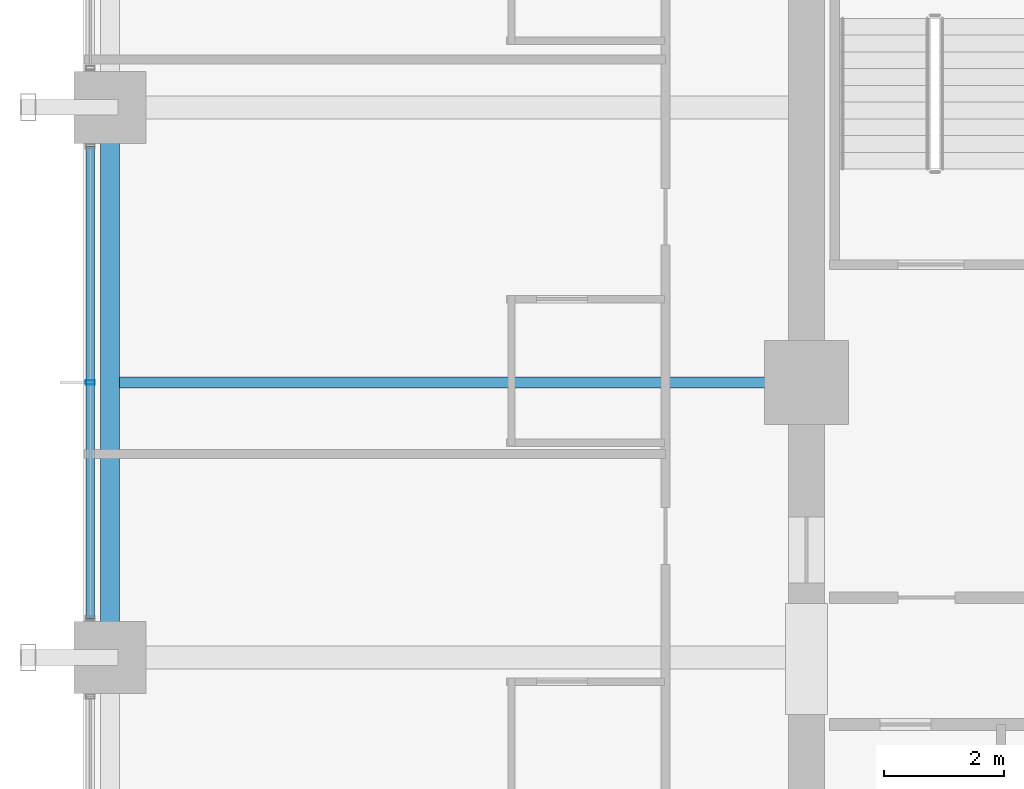
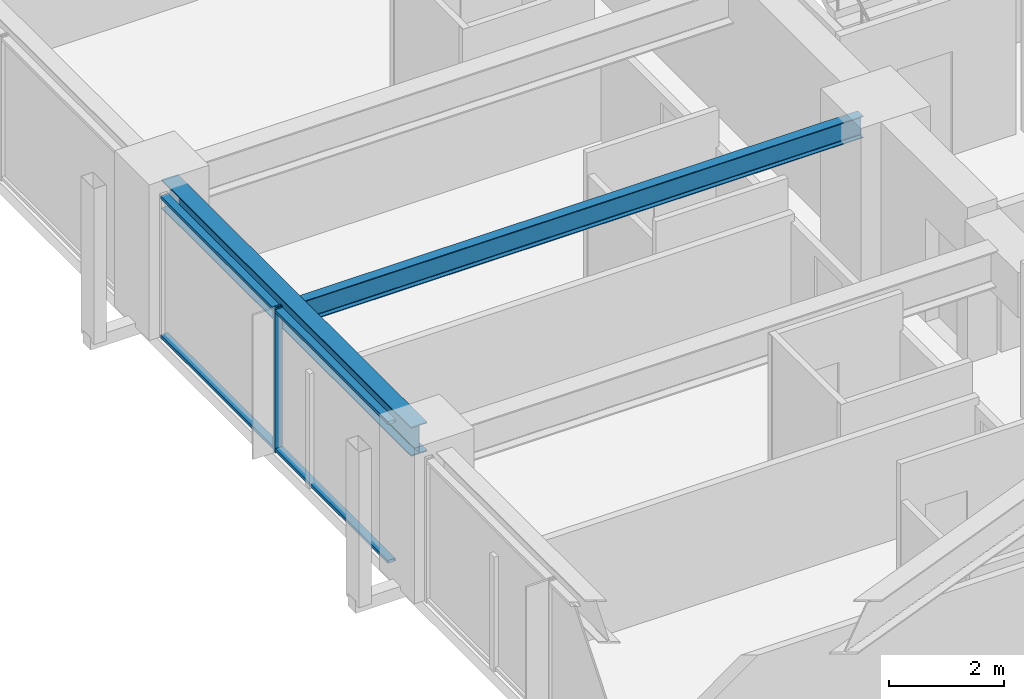
# One storey, part 8 of 38: 3 members, 2 beams, 1 element without a shape of its own.
"""IFC4 building model written with IfcOpenShell, lengths in metres."""

from ifc_helpers import new_model, si_unit, direction, frame, origin, origin_2d, place, context, subcontext, project, spatial, hollow_rectangle, i_section, extrude, material, material_profile, profile_set, type_object, element, aggregate, save


model = new_model("IFC4")

# Units and contexts
model_context = context("Model", 3, precision=1e-05, world=origin(), true_north=direction((0.0, 1.0)))
body_context = subcontext(model_context, "Body", "Model", "MODEL_VIEW")
ifc_project = project(units=[si_unit("LENGTHUNIT", "METRE"), si_unit("AREAUNIT", "SQUARE_METRE"), si_unit("VOLUMEUNIT", "CUBIC_METRE"), si_unit("PLANEANGLEUNIT", "RADIAN"), si_unit("MASSUNIT", "GRAM", prefix="KILO")], contexts=[model_context])

# Site, building, storey
site_placement = place(None, origin())
site = spatial("IfcSite", under=ifc_project, at=site_placement, CompositionType="ELEMENT")
building_placement = place(site_placement, origin())
building = spatial("IfcBuilding", under=site, at=building_placement, Name="Kolvaren Belvedere", CompositionType="ELEMENT")
storey_placement = place(building_placement, frame((0.0, 0.0, 50.199951171875)))
storey = spatial("IfcBuildingStorey", under=building, at=storey_placement, Name="L14", CompositionType="ELEMENT", Elevation=50.199951171875)

# Beams
ifc_material_1 = material(Name="Structural steel ASTM A992 Grade 50", Category="steel")
ifc_material_profile_1 = material_profile(ifc_material_1, i_section(OverallWidth=0.19091796875, OverallDepth=0.4599609375, WebThickness=0.010009765625, FlangeThickness=0.01611328125, FilletRadius=0.014892578125, at=origin_2d()), Name="W18X55")
ifc_profile_set_1 = profile_set([ifc_material_profile_1], Name="Structural steel ASTM A992 Grade 50")
beam_type_1 = type_object("IfcBeamType", Name="BM-JOIST-W18X55", PredefinedType="BEAM", material=ifc_profile_set_1)
beam_1_placement = place(storey_placement, frame((-10.199951171875, 0.0, 2.830078125), z_axis=(-1.0, 0.0, 0.0), x_axis=(0.0, -1.0, 0.0)))
element("IfcBeam", 1, at=beam_1_placement, inside=storey, type_object=beam_type_1, Name="L14 West Centre Floor Beam", PredefinedType="BEAM", context=body_context, shape_type="SweptSolid", body=[
    extrude(i_section(OverallWidth=0.19091796875, OverallDepth=0.4599609375, WebThickness=0.010009765625, FlangeThickness=0.01611328125, FilletRadius=0.014892578125, at=origin_2d()), origin(), (0.0, 0.0, 1.0), 11.1875),
])
ifc_material_2 = material(Name="Structural steel ASTM A992 Grade 50", Category="steel")
ifc_material_profile_2 = material_profile(ifc_material_2, i_section(OverallWidth=0.324951171875, OverallDepth=0.615966796875, WebThickness=0.013916015625, FlangeThickness=0.021484375, FilletRadius=0.02001953125, at=origin_2d()), Name="W24X117")
ifc_profile_set_2 = profile_set([ifc_material_profile_2], Name="Structural steel ASTM A992 Grade 50")
beam_type_2 = type_object("IfcBeamType", Name="BM-SPAN-W24X117", PredefinedType="SPANDREL", material=ifc_profile_set_2)
beam_2_placement = place(storey_placement, frame((-21.550048828125, 4.330078125, 2.751953125), z_axis=(0.0, -1.0, 0.0), x_axis=(1.0, 0.0, 0.0)))
element("IfcBeam", 2, at=beam_2_placement, inside=storey, type_object=beam_type_2, Name="L14 Perimeter Spandrel W3-W2", PredefinedType="SPANDREL", context=body_context, shape_type="SweptSolid", body=[
    extrude(i_section(OverallWidth=0.324951171875, OverallDepth=0.615966796875, WebThickness=0.013916015625, FlangeThickness=0.021484375, FilletRadius=0.02001953125, at=origin_2d()), origin(), (0.0, 0.0, 1.0), 8.66015625),
])

# Curtain wall, members
ifc_material_3 = material(Name="Anodised pale-metal aluminium AA 6063-T6", Category="aluminium")
curtain_wall_type = type_object("IfcCurtainWallType", Name="CW-Z1-LOW", PredefinedType="NOTDEFINED", material=ifc_material_3)
curtain_wall_placement = place(storey_placement, origin())
curtain_wall = element("IfcCurtainWall", 3, at=curtain_wall_placement, inside=storey, type_object=curtain_wall_type, Name="L14 Unitised Curtain Wall FCW-L14-W-B2", PredefinedType="NOTDEFINED")
ifc_material_4 = material(Name="Anodised pale-metal aluminium AA 6063-T6", Category="aluminium")
ifc_material_profile_3 = material_profile(ifc_material_4, hollow_rectangle(XDim=0.070068359375, YDim=0.14990234375, WallThickness=0.004150390625, at=origin_2d()), Name="ALU-MUL-150X70")
ifc_profile_set_3 = profile_set([ifc_material_profile_3], Name="Anodised pale-metal aluminium AA 6063-T6")
member_type_1 = type_object("IfcMemberType", Name="CW-MUL-150", PredefinedType="MULLION", material=ifc_profile_set_3)
member_1_placement = place(storey_placement, frame((-21.8798828125, 0.0, 0.0), z_axis=(0.0, 0.0, 1.0), x_axis=(0.0, 1.0, 0.0)))
member_1 = element("IfcMember", 4, at=member_1_placement, type_object=member_type_1, Name="FCW-L14-W-B2 Unitised Mullion 2", PredefinedType="MULLION", context=body_context, shape_type="SweptSolid", body=[
    extrude(hollow_rectangle(XDim=0.070068359375, YDim=0.14990234375, WallThickness=0.004150390625, at=origin_2d()), origin(), (0.0, 0.0, 1.0), 3.06005859375),
])
ifc_material_5 = material(Name="Anodised pale-metal aluminium AA 6063-T6", Category="aluminium")
ifc_material_profile_4 = material_profile(ifc_material_5, hollow_rectangle(XDim=0.06494140625, YDim=0.14990234375, WallThickness=0.00390625, at=origin_2d()), Name="ALU-TRN-150X65")
ifc_profile_set_4 = profile_set([ifc_material_profile_4], Name="Anodised pale-metal aluminium AA 6063-T6")
member_type_2 = type_object("IfcMemberType", Name="CW-TRN-150", PredefinedType="USERDEFINED", material=ifc_profile_set_4)
member_2_placement = place(storey_placement, frame((-21.8798828125, -3.945068359375, 0.06005859375), z_axis=(0.0, 1.0, 0.0), x_axis=(0.0, 0.0, 1.0)))
member_2 = element("IfcMember", 5, at=member_2_placement, type_object=member_type_2, Name="FCW-L14-W-B2 Sill Transom", ObjectType="TRANSOM", PredefinedType="USERDEFINED", context=body_context, shape_type="SweptSolid", body=[
    extrude(hollow_rectangle(XDim=0.06494140625, YDim=0.14990234375, WallThickness=0.00390625, at=origin_2d()), origin(), (0.0, 0.0, 1.0), 7.89013671875),
])
member_3_placement = place(storey_placement, frame((-21.8798828125, -3.945068359375, 3.0), z_axis=(0.0, 1.0, 0.0), x_axis=(0.0, 0.0, 1.0)))
member_3 = element("IfcMember", 6, at=member_3_placement, type_object=member_type_2, Name="FCW-L14-W-B2 Head Transom", ObjectType="TRANSOM", PredefinedType="USERDEFINED", context=body_context, shape_type="SweptSolid", body=[
    extrude(hollow_rectangle(XDim=0.06494140625, YDim=0.14990234375, WallThickness=0.00390625, at=origin_2d()), origin(), (0.0, 0.0, 1.0), 7.89013671875),
])
aggregate(curtain_wall, [member_1, member_2, member_3])

save(model, "model.ifc")
